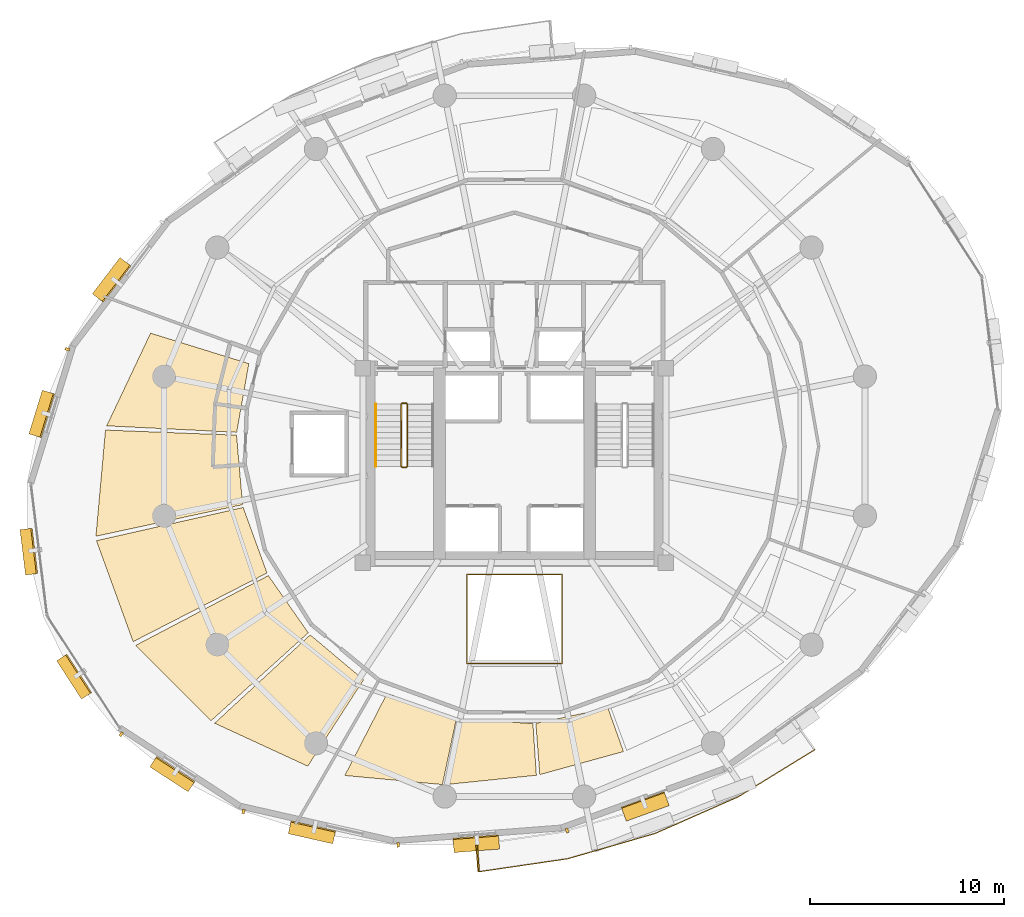
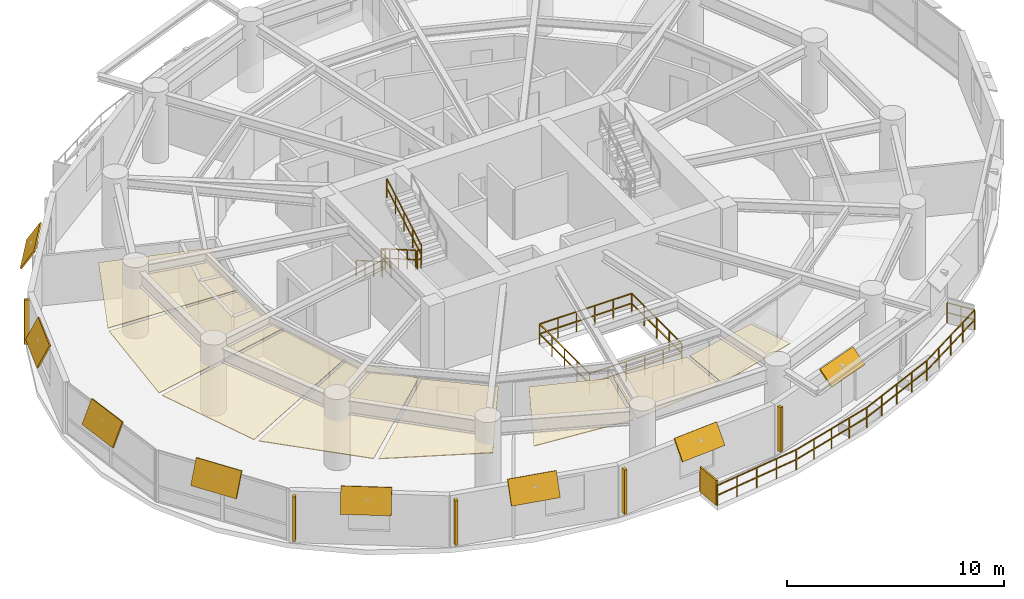
# One storey, part 13 of 15: 14 shading devices, 8 coverings, 7 railings.
"""IFC4 building model written with IfcOpenShell, lengths in metres."""

from ifc_helpers import new_model, si_unit, direction, frame, origin, origin_2d, place, context, subcontext, project, spatial, polyline, rectangle, outline, extrude, material, layer, layer_set, type_object, element, save


model = new_model("IFC4")

# Units and contexts
model_context = context("Model", 3, precision=1e-05, world=origin(), true_north=direction((0.0, 1.0)))
body_context = subcontext(model_context, "Body", "Model", "MODEL_VIEW")
ifc_project = project(units=[si_unit("LENGTHUNIT", "METRE"), si_unit("AREAUNIT", "SQUARE_METRE"), si_unit("VOLUMEUNIT", "CUBIC_METRE"), si_unit("PLANEANGLEUNIT", "RADIAN"), si_unit("MASSUNIT", "GRAM", prefix="KILO"), si_unit("THERMODYNAMICTEMPERATUREUNIT", "KELVIN"), si_unit("POWERUNIT", "WATT")], contexts=[model_context])

# Site, building, storey
site_placement = place(None, origin())
site = spatial("IfcSite", under=ifc_project, at=site_placement, CompositionType="ELEMENT")
building_placement = place(site_placement, origin())
building = spatial("IfcBuilding", under=site, at=building_placement, Name="Ocrelia Relay Tower", CompositionType="ELEMENT")
storey_placement = place(building_placement, frame((0.0, 0.0, 117.800048828125)))
storey = spatial("IfcBuildingStorey", under=building, at=storey_placement, Name="L27", CompositionType="ELEMENT", Elevation=117.800048828125)

# Coverings
ifc_material_1 = material(Name="Mineral-fiber acoustic ceiling tile", Category="gypsum")
ifc_layer_1 = layer(ifc_material_1, 0.0400390625, Name="Mineral-fiber acoustic ceiling tile")
ifc_layer_set_1 = layer_set([ifc_layer_1], Name="Mineral-fiber acoustic ceiling tile")
covering_type_1 = type_object("IfcCoveringType", Name="COV-CEIL-ACOUSTIC", PredefinedType="CEILING", material=ifc_layer_set_1)
covering_1_placement = place(storey_placement, frame((0.0, 0.0, 2.719970703125)))
element("IfcCovering", 1, at=covering_1_placement, inside=storey, type_object=covering_type_1, Name="L27 Peering Conference Room Suspended Ceiling 1", PredefinedType="CEILING", context=body_context, shape_type="SweptSolid", body=[
    extrude(outline(polyline([(20.32421875, 30.24658203125), (15.263427734375, 31.81787109375), (13.00390625, 27.045166015625), (19.69775390625, 26.7119140625), (20.32421875, 30.24658203125)])), origin(), (0.0, 0.0, 1.0), 0.0400390625),
])
covering_2_placement = place(storey_placement, frame((0.0, 0.0, 2.719970703125)))
element("IfcCovering", 2, at=covering_2_placement, inside=storey, type_object=covering_type_1, Name="L27 Peering Conference Room Suspended Ceiling 2", PredefinedType="CEILING", context=body_context, shape_type="SweptSolid", body=[
    extrude(outline(polyline([(19.69091796875, 26.562255859375), (12.9404296875, 26.827392578125), (12.448974609375, 21.360107421875), (20.000732421875, 22.986083984375), (19.69091796875, 26.562255859375)])), origin(), (0.0, 0.0, 1.0), 0.0400390625),
])
covering_3_placement = place(storey_placement, frame((0.0, 0.0, 2.719970703125)))
element("IfcCovering", 3, at=covering_3_placement, inside=storey, type_object=covering_type_1, Name="L27 Peering Conference Room Suspended Ceiling 3", PredefinedType="CEILING", context=body_context, shape_type="SweptSolid", body=[
    extrude(outline(polyline([(20.033203125, 22.839599609375), (12.476806640625, 21.1298828125), (14.364013671875, 15.93017578125), (21.2578125, 19.465576171875), (20.033203125, 22.839599609375)])), origin(), (0.0, 0.0, 1.0), 0.0400390625),
])
covering_4_placement = place(storey_placement, frame((0.0, 0.0, 2.719970703125)))
element("IfcCovering", 4, at=covering_4_placement, inside=storey, type_object=covering_type_1, Name="L27 Peering Conference Room Suspended Ceiling 4", PredefinedType="CEILING", context=body_context, shape_type="SweptSolid", body=[
    extrude(outline(polyline([(21.326904296875, 19.33251953125), (14.490478515625, 15.735595703125), (18.37451171875, 11.8564453125), (23.38330078125, 16.39013671875), (21.326904296875, 19.33251953125)])), origin(), (0.0, 0.0, 1.0), 0.0400390625),
])
covering_5_placement = place(storey_placement, frame((0.0, 0.0, 2.719970703125)))
element("IfcCovering", 5, at=covering_5_placement, inside=storey, type_object=covering_type_1, Name="L27 Peering Conference Room Suspended Ceiling 5", PredefinedType="CEILING", context=body_context, shape_type="SweptSolid", body=[
    extrude(outline(polyline([(23.484619140625, 16.279541015625), (18.56298828125, 11.730224609375), (23.35791015625, 9.518310546875), (26.232177734375, 13.969970703125), (23.484619140625, 16.279541015625)])), origin(), (0.0, 0.0, 1.0), 0.0400390625),
])
ifc_material_2 = material(Name="Cleanroom metal-pan acoustic ceiling", Category="aluminium")
ifc_layer_2 = layer(ifc_material_2, 0.0400390625, Name="Cleanroom metal-pan acoustic ceiling")
ifc_layer_set_2 = layer_set([ifc_layer_2], Name="Cleanroom metal-pan acoustic ceiling")
covering_type_2 = type_object("IfcCoveringType", Name="COV-CEIL-CLEAN", PredefinedType="CEILING", material=ifc_layer_set_2)
covering_6_placement = place(storey_placement, frame((0.0, 0.0, 2.719970703125)))
element("IfcCovering", 6, at=covering_6_placement, inside=storey, type_object=covering_type_2, Name="L27 Optical Switching Hall A Suspended Ceiling 1", PredefinedType="CEILING", context=body_context, shape_type="SweptSolid", body=[
    extrude(outline(polyline([(27.443115234375, 13.269287109375), (25.264892578125, 9.039794921875), (30.2900390625, 8.5712890625), (31.0185546875, 11.993896484375), (27.443115234375, 13.269287109375)])), origin(), (0.0, 0.0, 1.0), 0.0400390625),
])
covering_7_placement = place(storey_placement, frame((0.0, 0.0, 2.719970703125)))
element("IfcCovering", 7, at=covering_7_placement, inside=storey, type_object=covering_type_2, Name="L27 Optical Switching Hall A Suspended Ceiling 2", PredefinedType="CEILING", context=body_context, shape_type="SweptSolid", body=[
    extrude(outline(polyline([(31.16552734375, 11.96337890625), (30.48095703125, 8.573486328125), (35.130615234375, 9.050537109375), (34.953125, 11.7119140625), (31.16552734375, 11.96337890625)])), origin(), (0.0, 0.0, 1.0), 0.0400390625),
])
covering_8_placement = place(storey_placement, frame((0.0, 0.0, 2.719970703125)))
element("IfcCovering", 8, at=covering_8_placement, inside=storey, type_object=covering_type_2, Name="L27 Optical Switching Hall A Suspended Ceiling 3", PredefinedType="CEILING", context=body_context, shape_type="SweptSolid", body=[
    extrude(outline(polyline([(35.102783203125, 11.722412109375), (35.306640625, 9.084228515625), (39.61572265625, 10.2724609375), (38.8154296875, 12.513916015625), (35.102783203125, 11.722412109375)])), origin(), (0.0, 0.0, 1.0), 0.0400390625),
])

# Railings
ifc_material_3 = material(Name="Steel S355 balustrade", Category="steel")
railing_type_1 = type_object("IfcRailingType", Name="RL-EXT-GUARD-1150", PredefinedType="GUARDRAIL", material=ifc_material_3)
railing_1_placement = place(storey_placement, frame((48.660400390625, 11.496826171875, 0.0)))
element("IfcRailing", 9, at=railing_1_placement, inside=storey, type_object=railing_type_1, Name="L27 Loggia Balcony Guard Rail B2", PredefinedType="GUARDRAIL", context=body_context, shape_type="SweptSolid", body=[
    extrude(rectangle(XDim=0.048095703125, YDim=0.048095703125, at=origin_2d()), frame((0.0, 0.0, 1.1259765625), z_axis=(0.582248799217, -0.81301066156, 0.0), x_axis=(0.81301066156, 0.582248799217, 0.0)), (0.0, 0.0, 1.0), 1.393310546875),
    extrude(rectangle(XDim=0.048095703125, YDim=0.048095703125, at=origin_2d()), frame((0.0, 0.0, 0.574951171875), z_axis=(0.582248799217, -0.81301066156, 0.0), x_axis=(0.81301066156, 0.582248799217, 0.0)), (0.0, 0.0, 1.0), 1.393310546875),
    extrude(rectangle(XDim=0.048095703125, YDim=0.048095703125, at=origin_2d()), frame((0.811279296875, -1.1328125, 1.1259765625), z_axis=(-0.852012843075, -0.523520883285, 0.0), x_axis=(0.523520883285, -0.852012843075, 0.0)), (0.0, 0.0, 1.0), 2.31591796875),
    extrude(rectangle(XDim=0.048095703125, YDim=0.048095703125, at=origin_2d()), frame((0.811279296875, -1.1328125, 0.574951171875), z_axis=(-0.852012843075, -0.523520883285, 0.0), x_axis=(0.523520883285, -0.852012843075, 0.0)), (0.0, 0.0, 1.0), 2.31591796875),
    extrude(rectangle(XDim=0.048095703125, YDim=0.048095703125, at=origin_2d()), frame((-1.161865234375, -2.34521484375, 1.1259765625), z_axis=(-0.851983946003, -0.523567909399, 0.0), x_axis=(0.523567909399, -0.851983946003, 0.0)), (0.0, 0.0, 1.0), 2.315673828125),
    extrude(rectangle(XDim=0.048095703125, YDim=0.048095703125, at=origin_2d()), frame((-1.161865234375, -2.34521484375, 0.574951171875), z_axis=(-0.851983946003, -0.523567909399, 0.0), x_axis=(0.523567909399, -0.851983946003, 0.0)), (0.0, 0.0, 1.0), 2.315673828125),
    extrude(rectangle(XDim=0.048095703125, YDim=0.048095703125, at=origin_2d()), frame((-3.134765625, -3.5576171875, 1.1259765625), z_axis=(-0.91500952889, -0.403432227321, 0.0), x_axis=(0.403432227321, -0.91500952889, 0.0)), (0.0, 0.0, 1.0), 4.68212890625),
    extrude(rectangle(XDim=0.048095703125, YDim=0.048095703125, at=origin_2d()), frame((-3.134765625, -3.5576171875, 0.574951171875), z_axis=(-0.91500952889, -0.403432227321, 0.0), x_axis=(0.403432227321, -0.91500952889, 0.0)), (0.0, 0.0, 1.0), 4.68212890625),
    extrude(rectangle(XDim=0.048095703125, YDim=0.048095703125, at=origin_2d()), frame((-7.4189453125, -5.446533203125, 1.1259765625), z_axis=(-0.960738895965, -0.277454093103, 0.0), x_axis=(0.277454093103, -0.960738895965, 0.0)), (0.0, 0.0, 1.0), 4.68212890625),
    extrude(rectangle(XDim=0.048095703125, YDim=0.048095703125, at=origin_2d()), frame((-7.4189453125, -5.446533203125, 0.574951171875), z_axis=(-0.960738895965, -0.277454093103, 0.0), x_axis=(0.277454093103, -0.960738895965, 0.0)), (0.0, 0.0, 1.0), 4.68212890625),
    extrude(rectangle(XDim=0.048095703125, YDim=0.048095703125, at=origin_2d()), frame((-11.917236328125, -6.74560546875, 1.1259765625), z_axis=(-0.989454432254, -0.144844490722, 0.0), x_axis=(0.144844490722, -0.989454432254, 0.0)), (0.0, 0.0, 1.0), 2.31591796875),
    extrude(rectangle(XDim=0.048095703125, YDim=0.048095703125, at=origin_2d()), frame((-11.917236328125, -6.74560546875, 0.574951171875), z_axis=(-0.989454432254, -0.144844490722, 0.0), x_axis=(0.144844490722, -0.989454432254, 0.0)), (0.0, 0.0, 1.0), 2.31591796875),
    extrude(rectangle(XDim=0.048095703125, YDim=0.048095703125, at=origin_2d()), frame((-14.208740234375, -7.0810546875, 1.1259765625), z_axis=(-0.989452220244, -0.144859600492, 0.0), x_axis=(0.144859600492, -0.989452220244, 0.0)), (0.0, 0.0, 1.0), 2.315673828125),
    extrude(rectangle(XDim=0.048095703125, YDim=0.048095703125, at=origin_2d()), frame((-14.208740234375, -7.0810546875, 0.574951171875), z_axis=(-0.989452220244, -0.144859600492, 0.0), x_axis=(0.144859600492, -0.989452220244, 0.0)), (0.0, 0.0, 1.0), 2.315673828125),
    extrude(rectangle(XDim=0.048095703125, YDim=0.048095703125, at=origin_2d()), frame((-16.5, -7.41650390625, 1.1259765625), z_axis=(-0.074994679968, 0.997183933874, 0.0), x_axis=(-0.997183933874, -0.074994679968, 0.0)), (0.0, 0.0, 1.0), 1.393310546875),
    extrude(rectangle(XDim=0.048095703125, YDim=0.048095703125, at=origin_2d()), frame((-16.5, -7.41650390625, 0.574951171875), z_axis=(-0.074994679968, 0.997183933874, 0.0), x_axis=(-0.997183933874, -0.074994679968, 0.0)), (0.0, 0.0, 1.0), 1.393310546875),
    extrude(rectangle(XDim=0.0419921875, YDim=0.0419921875, at=origin_2d()), origin(), (0.0, 0.0, 1.0), 1.101806640625),
    extrude(rectangle(XDim=0.0419921875, YDim=0.0419921875, at=origin_2d()), frame((0.40576171875, -0.56640625, 0.0)), (0.0, 0.0, 1.0), 1.101806640625),
    extrude(rectangle(XDim=0.0419921875, YDim=0.0419921875, at=origin_2d()), frame((0.811279296875, -1.1328125, 0.0)), (0.0, 0.0, 1.0), 1.101806640625),
    extrude(rectangle(XDim=0.0419921875, YDim=0.0419921875, at=origin_2d()), frame((-0.17529296875, -1.739013671875, 0.0)), (0.0, 0.0, 1.0), 1.101806640625),
    extrude(rectangle(XDim=0.0419921875, YDim=0.0419921875, at=origin_2d()), frame((-1.161865234375, -2.34521484375, 0.0)), (0.0, 0.0, 1.0), 1.101806640625),
    extrude(rectangle(XDim=0.0419921875, YDim=0.0419921875, at=origin_2d()), frame((-2.1484375, -2.951416015625, 0.0)), (0.0, 0.0, 1.0), 1.101806640625),
    extrude(rectangle(XDim=0.0419921875, YDim=0.0419921875, at=origin_2d()), frame((-3.134765625, -3.5576171875, 0.0)), (0.0, 0.0, 1.0), 1.101806640625),
    extrude(rectangle(XDim=0.0419921875, YDim=0.0419921875, at=origin_2d()), frame((-4.205810546875, -4.02978515625, 0.0)), (0.0, 0.0, 1.0), 1.101806640625),
    extrude(rectangle(XDim=0.0419921875, YDim=0.0419921875, at=origin_2d()), frame((-5.27685546875, -4.501953125, 0.0)), (0.0, 0.0, 1.0), 1.101806640625),
    extrude(rectangle(XDim=0.0419921875, YDim=0.0419921875, at=origin_2d()), frame((-6.347900390625, -4.974365234375, 0.0)), (0.0, 0.0, 1.0), 1.101806640625),
    extrude(rectangle(XDim=0.0419921875, YDim=0.0419921875, at=origin_2d()), frame((-7.4189453125, -5.446533203125, 0.0)), (0.0, 0.0, 1.0), 1.101806640625),
    extrude(rectangle(XDim=0.0419921875, YDim=0.0419921875, at=origin_2d()), frame((-8.54345703125, -5.771240234375, 0.0)), (0.0, 0.0, 1.0), 1.101806640625),
    extrude(rectangle(XDim=0.0419921875, YDim=0.0419921875, at=origin_2d()), frame((-9.66796875, -6.09619140625, 0.0)), (0.0, 0.0, 1.0), 1.101806640625),
    extrude(rectangle(XDim=0.0419921875, YDim=0.0419921875, at=origin_2d()), frame((-10.792724609375, -6.4208984375, 0.0)), (0.0, 0.0, 1.0), 1.101806640625),
    extrude(rectangle(XDim=0.0419921875, YDim=0.0419921875, at=origin_2d()), frame((-11.917236328125, -6.74560546875, 0.0)), (0.0, 0.0, 1.0), 1.101806640625),
    extrude(rectangle(XDim=0.0419921875, YDim=0.0419921875, at=origin_2d()), frame((-13.06298828125, -6.913330078125, 0.0)), (0.0, 0.0, 1.0), 1.101806640625),
    extrude(rectangle(XDim=0.0419921875, YDim=0.0419921875, at=origin_2d()), frame((-14.208740234375, -7.0810546875, 0.0)), (0.0, 0.0, 1.0), 1.101806640625),
    extrude(rectangle(XDim=0.0419921875, YDim=0.0419921875, at=origin_2d()), frame((-15.3544921875, -7.248779296875, 0.0)), (0.0, 0.0, 1.0), 1.101806640625),
    extrude(rectangle(XDim=0.0419921875, YDim=0.0419921875, at=origin_2d()), frame((-16.5, -7.41650390625, 0.0)), (0.0, 0.0, 1.0), 1.101806640625),
    extrude(rectangle(XDim=0.0419921875, YDim=0.0419921875, at=origin_2d()), frame((-16.55224609375, -6.7216796875, 0.0)), (0.0, 0.0, 1.0), 1.101806640625),
    extrude(rectangle(XDim=0.0419921875, YDim=0.0419921875, at=origin_2d()), frame((-16.6044921875, -6.027099609375, 0.0)), (0.0, 0.0, 1.0), 1.101806640625),
])
ifc_material_4 = material(Name="Steel S355 atrium balustrade", Category="steel")
railing_type_2 = type_object("IfcRailingType", Name="RL-INT-GUARD-115", PredefinedType="GUARDRAIL", material=ifc_material_4)
railing_2_placement = place(storey_placement, frame((31.550048828125, 14.800048828125, 0.0)))
element("IfcRailing", 10, at=railing_2_placement, inside=storey, type_object=railing_type_2, Name="L27 Multi-Zone Interior Atrium Guard", PredefinedType="GUARDRAIL", context=body_context, shape_type="SweptSolid", body=[
    extrude(rectangle(XDim=0.048095703125, YDim=0.048095703125, at=origin_2d()), frame((0.0, 0.0, 1.1259765625), z_axis=(1.0, 0.0, 0.0), x_axis=(0.0, 1.0, 0.0)), (0.0, 0.0, 1.0), 4.89990234375),
    extrude(rectangle(XDim=0.048095703125, YDim=0.048095703125, at=origin_2d()), frame((0.0, 0.0, 0.574951171875), z_axis=(1.0, 0.0, 0.0), x_axis=(0.0, 1.0, 0.0)), (0.0, 0.0, 1.0), 4.89990234375),
    extrude(rectangle(XDim=0.048095703125, YDim=0.048095703125, at=origin_2d()), frame((4.89990234375, 0.0, 1.1259765625), z_axis=(0.0, 1.0, 0.0), x_axis=(-1.0, 0.0, 0.0)), (0.0, 0.0, 1.0), 4.599853515625),
    extrude(rectangle(XDim=0.048095703125, YDim=0.048095703125, at=origin_2d()), frame((4.89990234375, 0.0, 0.574951171875), z_axis=(0.0, 1.0, 0.0), x_axis=(-1.0, 0.0, 0.0)), (0.0, 0.0, 1.0), 4.599853515625),
    extrude(rectangle(XDim=0.048095703125, YDim=0.048095703125, at=origin_2d()), frame((4.89990234375, 4.599853515625, 1.1259765625), z_axis=(-1.0, 0.0, 0.0), x_axis=(0.0, -1.0, 0.0)), (0.0, 0.0, 1.0), 4.89990234375),
    extrude(rectangle(XDim=0.048095703125, YDim=0.048095703125, at=origin_2d()), frame((4.89990234375, 4.599853515625, 0.574951171875), z_axis=(-1.0, 0.0, 0.0), x_axis=(0.0, -1.0, 0.0)), (0.0, 0.0, 1.0), 4.89990234375),
    extrude(rectangle(XDim=0.048095703125, YDim=0.048095703125, at=origin_2d()), frame((0.0, 4.599853515625, 1.1259765625), z_axis=(0.0, -1.0, 0.0), x_axis=(1.0, 0.0, 0.0)), (0.0, 0.0, 1.0), 4.599853515625),
    extrude(rectangle(XDim=0.048095703125, YDim=0.048095703125, at=origin_2d()), frame((0.0, 4.599853515625, 0.574951171875), z_axis=(0.0, -1.0, 0.0), x_axis=(1.0, 0.0, 0.0)), (0.0, 0.0, 1.0), 4.599853515625),
    extrude(rectangle(XDim=0.0419921875, YDim=0.0419921875, at=origin_2d()), origin(), (0.0, 0.0, 1.0), 1.101806640625),
    extrude(rectangle(XDim=0.0419921875, YDim=0.0419921875, at=origin_2d()), frame((0.97998046875, 0.0, 0.0)), (0.0, 0.0, 1.0), 1.101806640625),
    extrude(rectangle(XDim=0.0419921875, YDim=0.0419921875, at=origin_2d()), frame((1.9599609375, 0.0, 0.0)), (0.0, 0.0, 1.0), 1.101806640625),
    extrude(rectangle(XDim=0.0419921875, YDim=0.0419921875, at=origin_2d()), frame((2.93994140625, 0.0, 0.0)), (0.0, 0.0, 1.0), 1.101806640625),
    extrude(rectangle(XDim=0.0419921875, YDim=0.0419921875, at=origin_2d()), frame((3.919921875, 0.0, 0.0)), (0.0, 0.0, 1.0), 1.101806640625),
    extrude(rectangle(XDim=0.0419921875, YDim=0.0419921875, at=origin_2d()), frame((4.89990234375, 0.0, 0.0)), (0.0, 0.0, 1.0), 1.101806640625),
    extrude(rectangle(XDim=0.0419921875, YDim=0.0419921875, at=origin_2d()), frame((4.89990234375, 1.14990234375, 0.0)), (0.0, 0.0, 1.0), 1.101806640625),
    extrude(rectangle(XDim=0.0419921875, YDim=0.0419921875, at=origin_2d()), frame((4.89990234375, 2.2998046875, 0.0)), (0.0, 0.0, 1.0), 1.101806640625),
    extrude(rectangle(XDim=0.0419921875, YDim=0.0419921875, at=origin_2d()), frame((4.89990234375, 3.449951171875, 0.0)), (0.0, 0.0, 1.0), 1.101806640625),
    extrude(rectangle(XDim=0.0419921875, YDim=0.0419921875, at=origin_2d()), frame((4.89990234375, 4.599853515625, 0.0)), (0.0, 0.0, 1.0), 1.101806640625),
    extrude(rectangle(XDim=0.0419921875, YDim=0.0419921875, at=origin_2d()), frame((3.919921875, 4.599853515625, 0.0)), (0.0, 0.0, 1.0), 1.101806640625),
    extrude(rectangle(XDim=0.0419921875, YDim=0.0419921875, at=origin_2d()), frame((2.93994140625, 4.599853515625, 0.0)), (0.0, 0.0, 1.0), 1.101806640625),
    extrude(rectangle(XDim=0.0419921875, YDim=0.0419921875, at=origin_2d()), frame((1.9599609375, 4.599853515625, 0.0)), (0.0, 0.0, 1.0), 1.101806640625),
    extrude(rectangle(XDim=0.0419921875, YDim=0.0419921875, at=origin_2d()), frame((0.97998046875, 4.599853515625, 0.0)), (0.0, 0.0, 1.0), 1.101806640625),
    extrude(rectangle(XDim=0.0419921875, YDim=0.0419921875, at=origin_2d()), frame((0.0, 4.599853515625, 0.0)), (0.0, 0.0, 1.0), 1.101806640625),
    extrude(rectangle(XDim=0.0419921875, YDim=0.0419921875, at=origin_2d()), frame((0.0, 3.449951171875, 0.0)), (0.0, 0.0, 1.0), 1.101806640625),
    extrude(rectangle(XDim=0.0419921875, YDim=0.0419921875, at=origin_2d()), frame((0.0, 2.2998046875, 0.0)), (0.0, 0.0, 1.0), 1.101806640625),
    extrude(rectangle(XDim=0.0419921875, YDim=0.0419921875, at=origin_2d()), frame((0.0, 1.14990234375, 0.0)), (0.0, 0.0, 1.0), 1.101806640625),
])
railing_type_3 = type_object("IfcRailingType", Name="RL-STAIR-GUARD", PredefinedType="GUARDRAIL", material=ifc_material_3)
railing_3_placement = place(storey_placement, frame((28.179931640625, 28.14990234375, 0.16650390625)))
element("IfcRailing", 11, at=railing_3_placement, inside=storey, type_object=railing_type_3, Name="L27 ST1 stair guard 1", PredefinedType="GUARDRAIL", context=body_context, shape_type="SweptSolid", body=[
    extrude(rectangle(XDim=0.048095703125, YDim=0.048095703125, at=origin_2d()), frame((0.0, 0.0, 1.076171875), z_axis=(0.0, -0.86699087805, 0.498324008431), x_axis=(1.0, 0.0, 0.0)), (0.0, 0.0, 1.0), 3.679443359375),
    extrude(rectangle(XDim=0.048095703125, YDim=0.048095703125, at=origin_2d()), frame((0.0, 0.0, 0.550048828125), z_axis=(0.0, -0.86699087805, 0.498324008431), x_axis=(1.0, 0.0, 0.0)), (0.0, 0.0, 1.0), 3.679443359375),
    extrude(rectangle(XDim=0.0419921875, YDim=0.0419921875, at=origin_2d()), origin(), (0.0, 0.0, 1.0), 1.052001953125),
    extrude(rectangle(XDim=0.0419921875, YDim=0.0419921875, at=origin_2d()), frame((0.0, -0.79736328125, 0.45849609375)), (0.0, 0.0, 1.0), 1.052001953125),
    extrude(rectangle(XDim=0.0419921875, YDim=0.0419921875, at=origin_2d()), frame((0.0, -1.594970703125, 0.916748046875)), (0.0, 0.0, 1.0), 1.052001953125),
    extrude(rectangle(XDim=0.0419921875, YDim=0.0419921875, at=origin_2d()), frame((0.0, -2.392578125, 1.375)), (0.0, 0.0, 1.0), 1.052001953125),
    extrude(rectangle(XDim=0.0419921875, YDim=0.0419921875, at=origin_2d()), frame((0.0, -3.18994140625, 1.83349609375)), (0.0, 0.0, 1.0), 1.052001953125),
])
railing_4_placement = place(storey_placement, frame((28.22998046875, 24.909912109375, 2.0)))
element("IfcRailing", 12, at=railing_4_placement, inside=storey, type_object=railing_type_3, Name="L27 ST1 stair guard 2", PredefinedType="GUARDRAIL", context=body_context, shape_type="SweptSolid", body=[
    extrude(rectangle(XDim=0.048095703125, YDim=0.048095703125, at=origin_2d()), frame((0.0, 0.0, 1.076171875), z_axis=(1.0, 0.0, 0.0), x_axis=(0.0, 1.0, 0.0)), (0.0, 0.0, 1.0), 0.199951171875),
    extrude(rectangle(XDim=0.048095703125, YDim=0.048095703125, at=origin_2d()), frame((0.0, 0.0, 0.550048828125), z_axis=(1.0, 0.0, 0.0), x_axis=(0.0, 1.0, 0.0)), (0.0, 0.0, 1.0), 0.199951171875),
    extrude(rectangle(XDim=0.0419921875, YDim=0.0419921875, at=origin_2d()), origin(), (0.0, 0.0, 1.0), 1.052001953125),
    extrude(rectangle(XDim=0.0419921875, YDim=0.0419921875, at=origin_2d()), frame((0.199951171875, 0.0, 0.0)), (0.0, 0.0, 1.0), 1.052001953125),
])
railing_5_placement = place(storey_placement, frame((28.47998046875, 24.9599609375, 2.16650390625)))
element("IfcRailing", 13, at=railing_5_placement, inside=storey, type_object=railing_type_3, Name="L27 ST1 stair guard 3", PredefinedType="GUARDRAIL", context=body_context, shape_type="SweptSolid", body=[
    extrude(rectangle(XDim=0.048095703125, YDim=0.048095703125, at=origin_2d()), frame((0.0, 0.0, 1.076171875), z_axis=(0.0, 0.86699087805, 0.498324008431), x_axis=(-1.0, 0.0, 0.0)), (0.0, 0.0, 1.0), 3.679443359375),
    extrude(rectangle(XDim=0.048095703125, YDim=0.048095703125, at=origin_2d()), frame((0.0, 0.0, 0.550048828125), z_axis=(0.0, 0.86699087805, 0.498324008431), x_axis=(-1.0, 0.0, 0.0)), (0.0, 0.0, 1.0), 3.679443359375),
    extrude(rectangle(XDim=0.0419921875, YDim=0.0419921875, at=origin_2d()), origin(), (0.0, 0.0, 1.0), 1.052001953125),
    extrude(rectangle(XDim=0.0419921875, YDim=0.0419921875, at=origin_2d()), frame((0.0, 0.79736328125, 0.45849609375)), (0.0, 0.0, 1.0), 1.052001953125),
    extrude(rectangle(XDim=0.0419921875, YDim=0.0419921875, at=origin_2d()), frame((0.0, 1.594970703125, 0.916748046875)), (0.0, 0.0, 1.0), 1.052001953125),
    extrude(rectangle(XDim=0.0419921875, YDim=0.0419921875, at=origin_2d()), frame((0.0, 2.392578125, 1.375)), (0.0, 0.0, 1.0), 1.052001953125),
    extrude(rectangle(XDim=0.0419921875, YDim=0.0419921875, at=origin_2d()), frame((0.0, 3.18994140625, 1.83349609375)), (0.0, 0.0, 1.0), 1.052001953125),
])
railing_6_placement = place(storey_placement, frame((28.22998046875, 28.199951171875, 0.0)))
element("IfcRailing", 14, at=railing_6_placement, inside=storey, type_object=railing_type_3, Name="L27 ST1 stair guard 4", PredefinedType="GUARDRAIL", context=body_context, shape_type="SweptSolid", body=[
    extrude(rectangle(XDim=0.048095703125, YDim=0.048095703125, at=origin_2d()), frame((0.0, 0.0, 1.076171875), z_axis=(1.0, 0.0, 0.0), x_axis=(0.0, 1.0, 0.0)), (0.0, 0.0, 1.0), 0.199951171875),
    extrude(rectangle(XDim=0.048095703125, YDim=0.048095703125, at=origin_2d()), frame((0.0, 0.0, 0.550048828125), z_axis=(1.0, 0.0, 0.0), x_axis=(0.0, 1.0, 0.0)), (0.0, 0.0, 1.0), 0.199951171875),
    extrude(rectangle(XDim=0.0419921875, YDim=0.0419921875, at=origin_2d()), origin(), (0.0, 0.0, 1.0), 1.052001953125),
    extrude(rectangle(XDim=0.0419921875, YDim=0.0419921875, at=origin_2d()), frame((0.199951171875, 0.0, 0.0)), (0.0, 0.0, 1.0), 1.052001953125),
])
ifc_material_5 = material(Name="Steel S355 tubular handrail", Category="steel")
railing_type_4 = type_object("IfcRailingType", Name="RL-STAIR-HAND", PredefinedType="HANDRAIL", material=ifc_material_5)
railing_7_placement = place(storey_placement, frame((26.860107421875, 28.14990234375, 0.16650390625)))
element("IfcRailing", 15, at=railing_7_placement, inside=storey, type_object=railing_type_4, Name="L27 ST1 stair handrail 1", PredefinedType="HANDRAIL", context=body_context, shape_type="SweptSolid", body=[
    extrude(rectangle(XDim=0.048095703125, YDim=0.048095703125, at=origin_2d()), frame((0.0, 0.0, 0.8759765625), z_axis=(0.0, -0.86699087805, 0.498324008431), x_axis=(1.0, 0.0, 0.0)), (0.0, 0.0, 1.0), 3.679443359375),
    extrude(rectangle(XDim=0.0419921875, YDim=0.0419921875, at=origin_2d()), origin(), (0.0, 0.0, 1.0), 0.851806640625),
    extrude(rectangle(XDim=0.0419921875, YDim=0.0419921875, at=origin_2d()), frame((0.0, -0.79736328125, 0.45849609375)), (0.0, 0.0, 1.0), 0.851806640625),
    extrude(rectangle(XDim=0.0419921875, YDim=0.0419921875, at=origin_2d()), frame((0.0, -1.594970703125, 0.916748046875)), (0.0, 0.0, 1.0), 0.851806640625),
    extrude(rectangle(XDim=0.0419921875, YDim=0.0419921875, at=origin_2d()), frame((0.0, -2.392578125, 1.375)), (0.0, 0.0, 1.0), 0.851806640625),
    extrude(rectangle(XDim=0.0419921875, YDim=0.0419921875, at=origin_2d()), frame((0.0, -3.18994140625, 1.83349609375)), (0.0, 0.0, 1.0), 0.851806640625),
])

# Shading devices
ifc_material_6 = material(Name="Perforated oxide terracotta solar screen", Category="masonry")
ifc_layer_3 = layer(ifc_material_6, 0.090087890625, Name="Perforated oxide terracotta solar screen")
ifc_layer_set_3 = layer_set([ifc_layer_3], Name="Perforated oxide terracotta solar screen")
shading_device_type_1 = type_object("IfcShadingDeviceType", Name="SH-BALC-SCREEN", PredefinedType="USERDEFINED", material=ifc_layer_set_3)
shading_device_1_placement = place(storey_placement, frame((32.108154296875, 4.775146484375, 0.0), z_axis=(0.0, 0.0, 1.0), x_axis=(0.07485239248, -0.997194624604, 0.0)))
element("IfcShadingDevice", 16, at=shading_device_1_placement, inside=storey, type_object=shading_device_type_1, Name="L27 Balcony Perforated Terracotta Screen B2-1", ObjectType="SCREEN", PredefinedType="USERDEFINED", context=body_context, shape_type="SweptSolid", body=[
    extrude(rectangle(XDim=1.340087890625, YDim=0.090087890625, at=origin_2d()), origin(), (0.0, 0.0, 1.0), 1.39990234375),
])
ifc_material_7 = material(Name="Extruded oxide terracotta vertical baguette", Category="masonry")
shading_device_type_2 = type_object("IfcShadingDeviceType", Name="SH-TERR-BAGUETTE", PredefinedType="USERDEFINED", material=ifc_material_7)
for number, where, z_axis, x_axis, name in (
    (17, (10.97705078125, 30.989501953125, 0.199951171875), (0.0, 0.0, 1.0), (-0.293529974291, -0.955949870125, 0.0), "L27 Oxide Terracotta Vertical Baguette 08"),
    (18, (13.75048828125, 11.1669921875, 0.199951171875), (0.0, 0.0, 1.0), (0.83838172207, -0.545083560657, 0.0), "L27 Oxide Terracotta Vertical Baguette 11"),
    (19, (20.0478515625, 7.188720703125, 0.199951171875), (0.0, 0.0, 1.0), (0.975271968475, -0.221008116382, 0.0), "L27 Oxide Terracotta Vertical Baguette 12"),
    (20, (28.0166015625, 5.466064453125, 0.199951171875), (0.0, 0.0, 1.0), (0.997080877714, 0.076352624688, 0.0), "L27 Oxide Terracotta Vertical Baguette 13"),
    (21, (36.71142578125, 6.205078125, 0.199951171875), (0.0, 0.0, 1.0), (0.939991290594, 0.341198437287, 0.0), "L27 Oxide Terracotta Vertical Baguette 14"),
):
    element("IfcShadingDevice", number, at=place(storey_placement, frame(where, z_axis=z_axis, x_axis=x_axis)), inside=storey, type_object=shading_device_type_2, Name=name, ObjectType="BAGUETTE", PredefinedType="USERDEFINED", context=body_context, shape_type="SweptSolid", body=[
        extrude(rectangle(XDim=0.139892578125, YDim=0.239990234375, at=origin_2d()), origin(), (0.0, 0.0, 1.0), 2.5),
    ])
ifc_material_8 = material(Name="Extruded oxide terracotta fin", Category="masonry")
ifc_layer_4 = layer(ifc_material_8, 0.080078125, Name="Extruded oxide terracotta fin")
ifc_layer_set_4 = layer_set([ifc_layer_4], Name="Extruded oxide terracotta fin")
shading_device_type_3 = type_object("IfcShadingDeviceType", Name="SH-VISOR-FIN-DEEP", PredefinedType="USERDEFINED", material=ifc_layer_set_4)
shading_device_2_placement = place(storey_placement, frame((13.28515625, 34.54052734375, 2.718994140625), z_axis=(-0.676068409485, 0.515629909092, 0.526362330098), x_axis=(-0.606437659627, -0.795131036362, 0.0)))
element("IfcShadingDevice", 22, at=shading_device_2_placement, inside=storey, type_object=shading_device_type_3, Name="L27 Canted Terracotta Sun-Visor Fin 07", ObjectType="FIN", PredefinedType="USERDEFINED", context=body_context, shape_type="SweptSolid", body=[
    extrude(rectangle(XDim=2.35009765625, YDim=1.220947265625, at=origin_2d()), origin(), (0.0, 0.0, 1.0), 0.080078125),
])
shading_device_3_placement = place(storey_placement, frame((9.695068359375, 27.6474609375, 2.721923828125), z_axis=(-0.851833304026, 0.26156037638, 0.453834982851), x_axis=(-0.293529974291, -0.955949870125, 0.0)))
element("IfcShadingDevice", 23, at=shading_device_3_placement, inside=storey, type_object=shading_device_type_3, Name="L27 Canted Terracotta Sun-Visor Fin 08", ObjectType="FIN", PredefinedType="USERDEFINED", context=body_context, shape_type="SweptSolid", body=[
    extrude(rectangle(XDim=2.35009765625, YDim=1.300048828125, at=origin_2d()), origin(), (0.0, 0.0, 1.0), 0.080078125),
])
shading_device_4_placement = place(storey_placement, frame((9.03125, 20.570068359375, 2.723388671875), z_axis=(-0.902568985235, -0.11050624209, 0.416122094283), x_axis=(0.121527745226, -0.992588034957, 0.0)))
element("IfcShadingDevice", 24, at=shading_device_4_placement, inside=storey, type_object=shading_device_type_3, Name="L27 Canted Terracotta Sun-Visor Fin 09", ObjectType="FIN", PredefinedType="USERDEFINED", context=body_context, shape_type="SweptSolid", body=[
    extrude(rectangle(XDim=2.35009765625, YDim=1.340087890625, at=origin_2d()), origin(), (0.0, 0.0, 1.0), 0.080078125),
])
shading_device_5_placement = place(storey_placement, frame((11.359619140625, 14.148193359375, 2.7236328125), z_axis=(-0.766685820319, -0.496355581217, 0.407214918582), x_axis=(0.543455591745, -0.839437918968, 0.0)))
element("IfcShadingDevice", 25, at=shading_device_5_placement, inside=storey, type_object=shading_device_type_3, Name="L27 Canted Terracotta Sun-Visor Fin 10", ObjectType="FIN", PredefinedType="USERDEFINED", context=body_context, shape_type="SweptSolid", body=[
    extrude(rectangle(XDim=2.35009765625, YDim=1.35009765625, at=origin_2d()), origin(), (0.0, 0.0, 1.0), 0.080078125),
])
shading_device_6_placement = place(storey_placement, frame((16.4052734375, 9.140380859375, 2.722900390625), z_axis=(-0.492881818677, -0.758091305159, 0.427042253013), x_axis=(0.83838172207, -0.545083560657, 0.0)))
element("IfcShadingDevice", 26, at=shading_device_6_placement, inside=storey, type_object=shading_device_type_3, Name="L27 Canted Terracotta Sun-Visor Fin 11", ObjectType="FIN", PredefinedType="USERDEFINED", context=body_context, shape_type="SweptSolid", body=[
    extrude(rectangle(XDim=2.35009765625, YDim=1.3291015625, at=origin_2d()), origin(), (0.0, 0.0, 1.0), 0.080078125),
])
shading_device_7_placement = place(storey_placement, frame((23.580810546875, 6.149658203125, 2.720703125), z_axis=(-0.193447470795, -0.853651434741, 0.483587948575), x_axis=(0.975271968475, -0.221008116382, 0.0)))
element("IfcShadingDevice", 27, at=shading_device_7_placement, inside=storey, type_object=shading_device_type_3, Name="L27 Canted Terracotta Sun-Visor Fin 12", ObjectType="FIN", PredefinedType="USERDEFINED", context=body_context, shape_type="SweptSolid", body=[
    extrude(rectangle(XDim=2.35009765625, YDim=1.26806640625, at=origin_2d()), origin(), (0.0, 0.0, 1.0), 0.080078125),
])
shading_device_8_placement = place(storey_placement, frame((32.034912109375, 5.56005859375, 2.716552734375), z_axis=(0.061903457361, -0.808390724635, 0.585382266806), x_axis=(0.997080877714, 0.076352624688, 0.0)))
element("IfcShadingDevice", 28, at=shading_device_8_placement, inside=storey, type_object=shading_device_type_3, Name="L27 Canted Terracotta Sun-Visor Fin 13", ObjectType="FIN", PredefinedType="USERDEFINED", context=body_context, shape_type="SweptSolid", body=[
    extrude(rectangle(XDim=2.35009765625, YDim=1.153076171875, at=origin_2d()), origin(), (0.0, 0.0, 1.0), 0.080078125),
])
ifc_layer_5 = layer(ifc_material_8, 0.080078125, Name="Extruded oxide terracotta fin")
ifc_layer_set_5 = layer_set([ifc_layer_5], Name="Extruded oxide terracotta fin")
shading_device_type_4 = type_object("IfcShadingDeviceType", Name="SH-VISOR-FIN-MED", PredefinedType="USERDEFINED", material=ifc_layer_set_5)
shading_device_9_placement = place(storey_placement, frame((40.72509765625, 7.472412109375, 2.711181640625), z_axis=(0.237487119749, -0.654269773237, 0.71800482713), x_axis=(0.939991290594, 0.341198437287, 0.0)))
element("IfcShadingDevice", 29, at=shading_device_9_placement, inside=storey, type_object=shading_device_type_4, Name="L27 Canted Terracotta Sun-Visor Fin 14", ObjectType="FIN", PredefinedType="USERDEFINED", context=body_context, shape_type="SweptSolid", body=[
    extrude(rectangle(XDim=2.35009765625, YDim=0.985107421875, at=origin_2d()), origin(), (0.0, 0.0, 1.0), 0.080078125),
])

save(model, "model.ifc")
